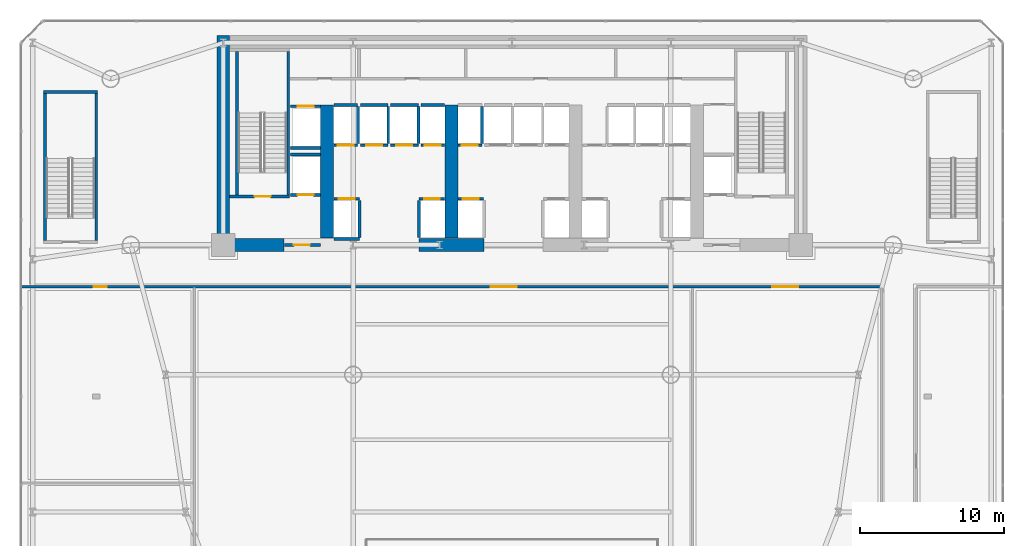
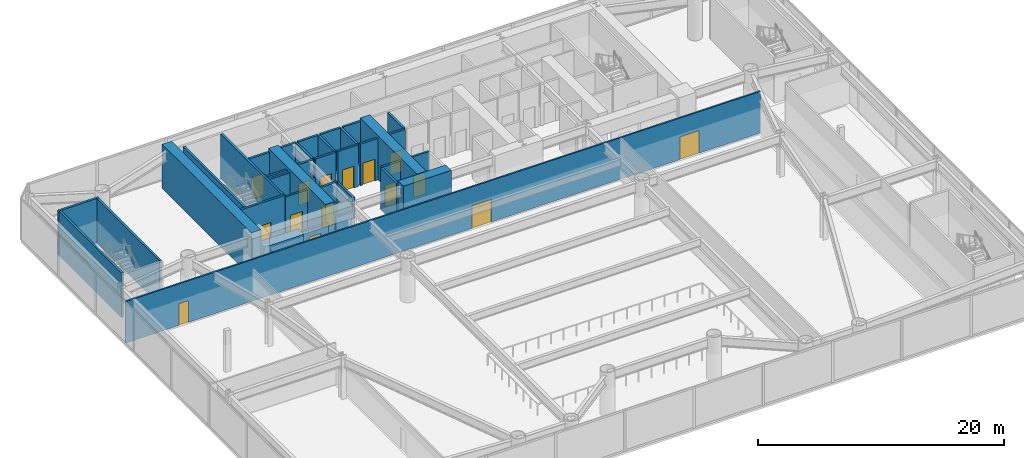
# One storey, part 14 of 24: 36 walls, 15 doors, 15 openings.
"""IFC4 building model written with IfcOpenShell, lengths in metres."""

from ifc_helpers import new_model, si_unit, direction, frame, frame_2d, origin, place, context, subcontext, project, spatial, rectangle, extrude, source, transform, mapped, material, layer, layer_set, type_object, element, fill, save


model = new_model("IFC4")

# Units and contexts
model_context = context("Model", 3, precision=1e-05, world=origin(), true_north=direction((0.0, 1.0)))
body_context = subcontext(model_context, "Body", "Model", "MODEL_VIEW")
ifc_project = project(units=[si_unit("LENGTHUNIT", "METRE"), si_unit("AREAUNIT", "SQUARE_METRE"), si_unit("VOLUMEUNIT", "CUBIC_METRE"), si_unit("PLANEANGLEUNIT", "RADIAN"), si_unit("MASSUNIT", "GRAM", prefix="KILO")], contexts=[model_context])

# Site, building, storey
site_placement = place(None, origin())
site = spatial("IfcSite", under=ifc_project, at=site_placement, CompositionType="ELEMENT")
building_placement = place(site_placement, origin())
building = spatial("IfcBuilding", under=site, at=building_placement, Name="Vaeldorn Concourse Tower", CompositionType="ELEMENT")
storey_placement = place(building_placement, frame((0.0, 0.0, 5.60009765625)))
storey = spatial("IfcBuildingStorey", under=building, at=storey_placement, Name="L01", CompositionType="ELEMENT", Elevation=5.60009765625)

# Walls
ifc_material_1 = material(Name="Concrete C60/75", Category="concrete")
ifc_layer_1 = layer(ifc_material_1, 0.89990234375)
ifc_layer_set_1 = layer_set([ifc_layer_1], Name="Concrete C60/75")
wall_type_1 = type_object("IfcWallType", Name="WL-CORE-900", PredefinedType="SHEAR", material=ifc_layer_set_1)
wall_1_placement = place(storey_placement, frame((14.0, 36.5, 0.0), z_axis=(0.0, 0.0, 1.0), x_axis=(0.0, 1.0, 0.0)))
element("IfcWall", 1, at=wall_1_placement, inside=storey, type_object=wall_type_1, Name="Rear Core Shear Wall L01 W1", PredefinedType="SHEAR", context=body_context, shape_type="SweptSolid", body=[
    extrude(rectangle(XDim=14.5, YDim=0.89990234375, at=frame_2d((7.25, 0.0))), origin(), (0.0, 0.0, 1.0), 4.39990234375),
])
wall_2_placement = place(storey_placement, frame((14.469970703125, 36.5, 0.0), z_axis=(0.0, 0.0, 1.0), x_axis=(1.0, 0.0, 0.0)))
element("IfcWall", 2, at=wall_2_placement, inside=storey, type_object=wall_type_1, Name="Rear Core Shear Wall L01 S1", PredefinedType="SHEAR", context=body_context, shape_type="SweptSolid", body=[
    extrude(rectangle(XDim=3.72998046875, YDim=0.89990234375, at=frame_2d((1.864990234375, 0.0))), origin(), (0.0, 0.0, 1.0), 2.919921875),
])
wall_3_placement = place(storey_placement, frame((27.550048828125, 36.5, 0.0), z_axis=(0.0, 0.0, 1.0), x_axis=(1.0, 0.0, 0.0)))
element("IfcWall", 3, at=wall_3_placement, inside=storey, type_object=wall_type_1, Name="Rear Core Shear Wall L01 S2", PredefinedType="SHEAR", context=body_context, shape_type="SweptSolid", body=[
    extrude(rectangle(XDim=4.5, YDim=0.89990234375, at=frame_2d((2.25, 0.0))), origin(), (0.0, 0.0, 1.0), 4.39990234375),
])
for number, where, z_axis, x_axis, name in (
    (4, (21.199951171875, 36.969970703125, 0.0), (0.0, 0.0, 1.0), (0.0, 1.0, 0.0), "Rear Core Shear Wall L01 M1"),
    (5, (29.800048828125, 36.969970703125, 0.0), (0.0, 0.0, 1.0), (0.0, 1.0, 0.0), "Rear Core Shear Wall L01 M2"),
):
    element("IfcWall", number, at=place(storey_placement, frame(where, z_axis=z_axis, x_axis=x_axis)), inside=storey, type_object=wall_type_1, Name=name, PredefinedType="SHEAR", context=body_context, shape_type="SweptSolid", body=[
        extrude(rectangle(XDim=9.22998046875, YDim=0.89990234375, at=frame_2d((4.614990234375, 0.0))), origin(), (0.0, 0.0, 1.0), 4.39990234375),
    ])

# Wall, openings, doors
ifc_material_2 = material(Name="Gypsum Board Partition", Category="gypsum")
ifc_layer_2 = layer(ifc_material_2, 0.14990234375)
ifc_layer_set_2 = layer_set([ifc_layer_2], Name="Gypsum Board Partition")
wall_type_2 = type_object("IfcWallType", Name="WL-PART-150", PredefinedType="PARTITIONING", material=ifc_layer_set_2)
wall_4_placement = place(storey_placement, frame((0.0400390625, 33.60009765625, 0.0), z_axis=(0.0, 0.0, 1.0), x_axis=(1.0, 0.0, 0.0)))
wall_4 = element("IfcWall", 6, at=wall_4_placement, inside=storey, type_object=wall_type_2, Name="Interior Wall PW-L01-COR", PredefinedType="PARTITIONING", context=body_context, shape_type="SweptSolid", body=[
    extrude(rectangle(XDim=59.56005859375, YDim=0.14990234375, at=frame_2d((29.780029296875, 0.0))), origin(), (0.0, 0.0, 1.0), 4.119873046875),
])
opening_1_placement = place(wall_4_placement, frame((5.0, 0.0, 0.0)))
opening_1 = element("IfcOpeningElement", 7, at=opening_1_placement, cuts=wall_4, Name="Opening D-03", PredefinedType="OPENING", context=body_context, shape_type="SweptSolid", body=[
    extrude(rectangle(XDim=0.89990234375, YDim=2.14990234375, at=frame_2d((0.449951171875, 1.074951171875))), frame((0.0, 0.0849609375, 0.0), z_axis=(0.0, -1.0, 0.0), x_axis=(1.0, 0.0, 0.0)), (0.0, 0.0, 1.0), 0.169921875),
])
opening_2_placement = place(wall_4_placement, frame((32.5, 0.0, 0.0)))
opening_2 = element("IfcOpeningElement", 8, at=opening_2_placement, cuts=wall_4, Name="Opening D-05", PredefinedType="OPENING", context=body_context, shape_type="SweptSolid", body=[
    extrude(rectangle(XDim=1.800048828125, YDim=2.25, at=frame_2d((0.89990234375, 1.125))), frame((0.0, 0.0849609375, 0.0), z_axis=(0.0, -1.0, 0.0), x_axis=(1.0, 0.0, 0.0)), (0.0, 0.0, 1.0), 0.169921875),
])
opening_3_placement = place(wall_4_placement, frame((52.0, 0.0, 0.0)))
opening_3 = element("IfcOpeningElement", 9, at=opening_3_placement, cuts=wall_4, Name="Opening D-05", PredefinedType="OPENING", context=body_context, shape_type="SweptSolid", body=[
    extrude(rectangle(XDim=1.800048828125, YDim=2.25, at=frame_2d((0.89990234375, 1.125))), frame((0.0, 0.0849609375, 0.0), z_axis=(0.0, -1.0, 0.0), x_axis=(1.0, 0.0, 0.0)), (0.0, 0.0, 1.0), 0.169921875),
])
ifc_material_3 = material(Name="Acoustic Bronze-Framed Glass Door", Category="glass")
door_type_1 = type_object("IfcDoorType", Name="DR-INT-900", OperationType="NOTDEFINED", PredefinedType="DOOR", material=ifc_material_3)
shared_shape_1 = source(origin(), body_context, "Body", "SweptSolid", [
    extrude(rectangle(XDim=0.89990234375, YDim=2.14990234375, at=frame_2d((0.449951171875, 1.074951171875))), frame((0.0, 0.02490234375, 0.0), z_axis=(0.0, -1.0, 0.0), x_axis=(1.0, 0.0, 0.0)), (0.0, 0.0, 1.0), 0.050048828125),
])
door_1_placement = place(opening_1_placement, origin())
door_1 = element("IfcDoor", 10, at=door_1_placement, inside=storey, type_object=door_type_1, Name="Interior Door DR-L01-MEET", OperationType="SINGLE_SWING_LEFT", OverallHeight=2.14990234375, OverallWidth=0.89990234375, PredefinedType="DOOR", context=body_context, shape_type="MappedRepresentation", body=[
    mapped(shared_shape_1, transform((0.0, 0.0, 0.0), scale=1.0)),
])
fill(opening_1, door_1)
door_type_2 = type_object("IfcDoorType", Name="DR-DBL-1800", OperationType="DOUBLE_DOOR_SINGLE_SWING", PredefinedType="DOOR", material=ifc_material_3)
shared_shape_2 = source(origin(), body_context, "Body", "SweptSolid", [
    extrude(rectangle(XDim=1.800048828125, YDim=2.25, at=frame_2d((0.89990234375, 1.125))), frame((0.0, 0.02490234375, 0.0), z_axis=(0.0, -1.0, 0.0), x_axis=(1.0, 0.0, 0.0)), (0.0, 0.0, 1.0), 0.050048828125),
])
door_2_placement = place(opening_2_placement, origin())
door_2 = element("IfcDoor", 11, at=door_2_placement, inside=storey, type_object=door_type_2, Name="Interior Door DR-L01-GAL", OperationType="DOUBLE_DOOR_SINGLE_SWING", OverallHeight=2.25, OverallWidth=1.800048828125, PredefinedType="DOOR", context=body_context, shape_type="MappedRepresentation", body=[
    mapped(shared_shape_2, transform((0.0, 0.0, 0.0), scale=1.0)),
])
fill(opening_2, door_2)
door_3_placement = place(opening_3_placement, origin())
door_3 = element("IfcDoor", 12, at=door_3_placement, inside=storey, type_object=door_type_2, Name="Interior Door DR-L01-REC", OperationType="DOUBLE_DOOR_SINGLE_SWING", OverallHeight=2.25, OverallWidth=1.800048828125, PredefinedType="DOOR", context=body_context, shape_type="MappedRepresentation", body=[
    mapped(shared_shape_2, transform((0.0, 0.0, 0.0), scale=1.0)),
])
fill(opening_3, door_3)

# Wall, opening, door
ifc_material_4 = material(Name="Concrete C50/60", Category="concrete")
ifc_layer_3 = layer(ifc_material_4, 0.199951171875)
ifc_layer_set_3 = layer_set([ifc_layer_3], Name="Concrete C50/60")
wall_type_3 = type_object("IfcWallType", Name="WL-SHAFT-200", PredefinedType="SOLIDWALL", material=ifc_layer_set_3)
wall_5_placement = place(storey_placement, frame((14.449951171875, 39.85009765625, 0.0), z_axis=(0.0, 0.0, 1.0), x_axis=(1.0, 0.0, 0.0)))
wall_5 = element("IfcWall", 13, at=wall_5_placement, inside=storey, type_object=wall_type_3, Name="Stair Shaft Wall CW-L01-ST-1-S", PredefinedType="SOLIDWALL", context=body_context, shape_type="SweptSolid", body=[
    extrude(rectangle(XDim=4.150146484375, YDim=0.199951171875, at=frame_2d((2.0751953125, 0.0))), origin(), (0.0, 0.0, 1.0), 4.39990234375),
])
opening_4_placement = place(wall_5_placement, frame((1.72509765625, 0.0, 0.0)))
opening_4 = element("IfcOpeningElement", 14, at=opening_4_placement, cuts=wall_5, Name="Opening D-01", PredefinedType="OPENING", context=body_context, shape_type="SweptSolid", body=[
    extrude(rectangle(XDim=1.10009765625, YDim=2.14990234375, at=frame_2d((0.550048828125, 1.074951171875))), frame((0.0, 0.10986328125, 0.0), z_axis=(0.0, -1.0, 0.0), x_axis=(1.0, 0.0, 0.0)), (0.0, 0.0, 1.0), 0.219970703125),
])
ifc_material_5 = material(Name="Fire-Rated Timber and Steel Leaf", Category="steel")
door_type_3 = type_object("IfcDoorType", Name="DR-FD60-1100", OperationType="NOTDEFINED", PredefinedType="DOOR", material=ifc_material_5)
shared_shape_3 = source(origin(), body_context, "Body", "SweptSolid", [
    extrude(rectangle(XDim=1.10009765625, YDim=2.14990234375, at=frame_2d((0.550048828125, 1.074951171875))), frame((0.0, 0.02490234375, 0.0), z_axis=(0.0, -1.0, 0.0), x_axis=(1.0, 0.0, 0.0)), (0.0, 0.0, 1.0), 0.050048828125),
])
door_4_placement = place(opening_4_placement, origin())
door_4 = element("IfcDoor", 15, at=door_4_placement, inside=storey, type_object=door_type_3, Name="Interior Door DR-L01-ST-1", OperationType="SINGLE_SWING_LEFT", OverallHeight=2.14990234375, OverallWidth=1.10009765625, PredefinedType="DOOR", context=body_context, shape_type="MappedRepresentation", body=[
    mapped(shared_shape_3, transform((0.0, 0.0, 0.0), scale=1.0)),
])
fill(opening_4, door_4)

# Walls
for number, where, z_axis, x_axis, name in (
    (16, (14.949951171875, 39.9599609375, 0.0), (0.0, 0.0, 1.0), (0.0, 1.0, 0.0), "Stair Shaft Wall CW-L01-ST-1-W"),
    (17, (18.5, 39.9599609375, 0.0), (0.0, 0.0, 1.0), (0.0, 1.0, 0.0), "Stair Shaft Wall CW-L01-ST-1-E"),
):
    element("IfcWall", number, at=place(storey_placement, frame(where, z_axis=z_axis, x_axis=x_axis)), inside=storey, type_object=wall_type_3, Name=name, PredefinedType="SOLIDWALL", context=body_context, shape_type="SweptSolid", body=[
        extrude(rectangle(XDim=9.929931640625, YDim=0.199951171875, at=frame_2d((4.96484375, 0.0))), origin(), (0.0, 0.0, 1.0), 4.39990234375),
    ])

# Wall, opening, door
wall_6_placement = place(storey_placement, frame((18.25, 36.5, 0.0), z_axis=(0.0, 0.0, 1.0), x_axis=(1.0, 0.0, 0.0)))
wall_6 = element("IfcWall", 18, at=wall_6_placement, inside=storey, type_object=wall_type_3, Name="Interior Wall CW-L01-FF1S", PredefinedType="SOLIDWALL", context=body_context, shape_type="SweptSolid", body=[
    extrude(rectangle(XDim=2.469970703125, YDim=0.199951171875, at=frame_2d((1.23486328125, 0.0))), origin(), (0.0, 0.0, 1.0), 2.909912109375),
])
opening_5_placement = place(wall_6_placement, frame((0.64990234375, 0.0, 0.0)))
opening_5 = element("IfcOpeningElement", 19, at=opening_5_placement, cuts=wall_6, Name="Opening D-01", PredefinedType="OPENING", context=body_context, shape_type="SweptSolid", body=[
    extrude(rectangle(XDim=1.10009765625, YDim=2.14990234375, at=frame_2d((0.550048828125, 1.074951171875))), frame((0.0, 0.10986328125, 0.0), z_axis=(0.0, -1.0, 0.0), x_axis=(1.0, 0.0, 0.0)), (0.0, 0.0, 1.0), 0.219970703125),
])
door_5_placement = place(opening_5_placement, origin())
door_5 = element("IfcDoor", 20, at=door_5_placement, inside=storey, type_object=door_type_3, Name="Interior Door DR-L01-FF1E", OperationType="SINGLE_SWING_RIGHT", OverallHeight=2.14990234375, OverallWidth=1.10009765625, PredefinedType="DOOR", context=body_context, shape_type="MappedRepresentation", body=[
    mapped(shared_shape_3, transform((0.0, 0.0, 0.0), scale=1.0)),
])
fill(opening_5, door_5)

wall_7_placement = place(storey_placement, frame((21.659912109375, 39.699951171875, 0.0), z_axis=(0.0, 0.0, 1.0), x_axis=(1.0, 0.0, 0.0)))
wall_7 = element("IfcWall", 21, at=wall_7_placement, inside=storey, type_object=wall_type_3, Name="Interior Wall CW-L01-LF-LF-01", PredefinedType="SOLIDWALL", context=body_context, shape_type="SweptSolid", body=[
    extrude(rectangle(XDim=1.77001953125, YDim=0.199951171875, at=frame_2d((0.885009765625, 0.0))), origin(), (0.0, 0.0, 1.0), 4.119873046875),
])
opening_6_placement = place(wall_7_placement, frame((0.3349609375, 0.0, 0.0)))
opening_6 = element("IfcOpeningElement", 22, at=opening_6_placement, cuts=wall_7, Name="Opening LD-1", PredefinedType="OPENING", context=body_context, shape_type="SweptSolid", body=[
    extrude(rectangle(XDim=1.10009765625, YDim=2.14990234375, at=frame_2d((0.550048828125, 1.074951171875))), frame((0.0, 0.10986328125, 0.0), z_axis=(0.0, -1.0, 0.0), x_axis=(1.0, 0.0, 0.0)), (0.0, 0.0, 1.0), 0.219970703125),
])
ifc_material_6 = material(Name="Anodised Bronze Aluminium", Category="aluminium")
door_type_4 = type_object("IfcDoorType", Name="DR-LIFT-SLIDE-1100", OperationType="DOUBLE_DOOR_SLIDING", PredefinedType="DOOR", material=ifc_material_6)
door_6_placement = place(opening_6_placement, origin())
door_6 = element("IfcDoor", 23, at=door_6_placement, inside=storey, type_object=door_type_4, Name="Lift Landing Door LD-L01-LF-01", OperationType="DOUBLE_DOOR_SLIDING", OverallHeight=2.14990234375, OverallWidth=1.10009765625, PredefinedType="DOOR", context=body_context, shape_type="MappedRepresentation", body=[
    mapped(shared_shape_3, transform((0.0, 0.0, 0.0), scale=1.0)),
])
fill(opening_6, door_6)

# Walls
wall_8_placement = place(storey_placement, frame((21.659912109375, 36.89990234375, 0.0), z_axis=(0.0, 0.0, 1.0), x_axis=(1.0, 0.0, 0.0)))
element("IfcWall", 24, at=wall_8_placement, inside=storey, type_object=wall_type_3, Name="Interior Wall CW-L01-LFB-LF-01", PredefinedType="SOLIDWALL", context=body_context, shape_type="SweptSolid", body=[
    extrude(rectangle(XDim=1.77001953125, YDim=0.199951171875, at=frame_2d((0.885009765625, 0.0))), origin(), (0.0, 0.0, 1.0), 2.909912109375),
])
wall_9_placement = place(storey_placement, frame((23.449951171875, 37.02001953125, 0.0), z_axis=(0.0, 0.0, 1.0), x_axis=(0.0, 1.0, 0.0)))
element("IfcWall", 25, at=wall_9_placement, inside=storey, type_object=wall_type_3, Name="Interior Wall CW-L01-LFE-LF-01", PredefinedType="SOLIDWALL", context=body_context, shape_type="SweptSolid", body=[
    extrude(rectangle(XDim=2.56005859375, YDim=0.199951171875, at=frame_2d((1.280029296875, 0.0))), origin(), (0.0, 0.0, 1.0), 4.119873046875),
])

# Wall, opening, door
wall_10_placement = place(storey_placement, frame((27.570068359375, 39.699951171875, 0.0), z_axis=(0.0, 0.0, 1.0), x_axis=(1.0, 0.0, 0.0)))
wall_10 = element("IfcWall", 26, at=wall_10_placement, inside=storey, type_object=wall_type_3, Name="Interior Wall CW-L01-LF-LF-02", PredefinedType="SOLIDWALL", context=body_context, shape_type="SweptSolid", body=[
    extrude(rectangle(XDim=1.77001953125, YDim=0.199951171875, at=frame_2d((0.885009765625, 0.0))), origin(), (0.0, 0.0, 1.0), 4.119873046875),
])
opening_7_placement = place(wall_10_placement, frame((0.3349609375, 0.0, 0.0)))
opening_7 = element("IfcOpeningElement", 27, at=opening_7_placement, cuts=wall_10, Name="Opening LD-1", PredefinedType="OPENING", context=body_context, shape_type="SweptSolid", body=[
    extrude(rectangle(XDim=1.10009765625, YDim=2.14990234375, at=frame_2d((0.550048828125, 1.074951171875))), frame((0.0, 0.10986328125, 0.0), z_axis=(0.0, -1.0, 0.0), x_axis=(1.0, 0.0, 0.0)), (0.0, 0.0, 1.0), 0.219970703125),
])
door_7_placement = place(opening_7_placement, origin())
door_7 = element("IfcDoor", 28, at=door_7_placement, inside=storey, type_object=door_type_4, Name="Lift Landing Door LD-L01-LF-02", OperationType="DOUBLE_DOOR_SLIDING", OverallHeight=2.14990234375, OverallWidth=1.10009765625, PredefinedType="DOOR", context=body_context, shape_type="MappedRepresentation", body=[
    mapped(shared_shape_3, transform((0.0, 0.0, 0.0), scale=1.0)),
])
fill(opening_7, door_7)

# Wall
wall_11_placement = place(storey_placement, frame((27.550048828125, 37.02001953125, 0.0), z_axis=(0.0, 0.0, 1.0), x_axis=(0.0, 1.0, 0.0)))
element("IfcWall", 29, at=wall_11_placement, inside=storey, type_object=wall_type_3, Name="Interior Wall CW-L01-LFW-LF-02", PredefinedType="SOLIDWALL", context=body_context, shape_type="SweptSolid", body=[
    extrude(rectangle(XDim=2.56005859375, YDim=0.199951171875, at=frame_2d((1.280029296875, 0.0))), origin(), (0.0, 0.0, 1.0), 4.119873046875),
])

# Wall, opening, door
wall_12_placement = place(storey_placement, frame((21.659912109375, 43.39990234375, 0.0), z_axis=(0.0, 0.0, 1.0), x_axis=(1.0, 0.0, 0.0)))
wall_12 = element("IfcWall", 30, at=wall_12_placement, inside=storey, type_object=wall_type_3, Name="Interior Wall CW-L01-LF-LF-03", PredefinedType="SOLIDWALL", context=body_context, shape_type="SweptSolid", body=[
    extrude(rectangle(XDim=1.650146484375, YDim=0.199951171875, at=frame_2d((0.8251953125, 0.0))), origin(), (0.0, 0.0, 1.0), 4.119873046875),
])
opening_8_placement = place(wall_12_placement, frame((0.27490234375, 0.0, 0.0)))
opening_8 = element("IfcOpeningElement", 31, at=opening_8_placement, cuts=wall_12, Name="Opening LD-1", PredefinedType="OPENING", context=body_context, shape_type="SweptSolid", body=[
    extrude(rectangle(XDim=1.10009765625, YDim=2.14990234375, at=frame_2d((0.550048828125, 1.074951171875))), frame((0.0, 0.10986328125, 0.0), z_axis=(0.0, -1.0, 0.0), x_axis=(1.0, 0.0, 0.0)), (0.0, 0.0, 1.0), 0.219970703125),
])
door_8_placement = place(opening_8_placement, origin())
door_8 = element("IfcDoor", 32, at=door_8_placement, inside=storey, type_object=door_type_4, Name="Lift Landing Door LD-L01-LF-03", OperationType="DOUBLE_DOOR_SLIDING", OverallHeight=2.14990234375, OverallWidth=1.10009765625, PredefinedType="DOOR", context=body_context, shape_type="MappedRepresentation", body=[
    mapped(shared_shape_3, transform((0.0, 0.0, 0.0), scale=1.0)),
])
fill(opening_8, door_8)

# Walls
wall_13_placement = place(storey_placement, frame((21.659912109375, 46.199951171875, 0.0), z_axis=(0.0, 0.0, 1.0), x_axis=(1.0, 0.0, 0.0)))
element("IfcWall", 33, at=wall_13_placement, inside=storey, type_object=wall_type_3, Name="Interior Wall CW-L01-LFB-LF-03", PredefinedType="SOLIDWALL", context=body_context, shape_type="SweptSolid", body=[
    extrude(rectangle(XDim=1.650146484375, YDim=0.199951171875, at=frame_2d((0.8251953125, 0.0))), origin(), (0.0, 0.0, 1.0), 4.119873046875),
])
wall_14_placement = place(storey_placement, frame((23.330078125, 43.52001953125, 0.0), z_axis=(0.0, 0.0, 1.0), x_axis=(0.0, 1.0, 0.0)))
element("IfcWall", 34, at=wall_14_placement, inside=storey, type_object=wall_type_3, Name="Interior Wall CW-L01-LFE-LF-03", PredefinedType="SOLIDWALL", context=body_context, shape_type="SweptSolid", body=[
    extrude(rectangle(XDim=2.56005859375, YDim=0.199951171875, at=frame_2d((1.280029296875, 0.0))), origin(), (0.0, 0.0, 1.0), 4.119873046875),
])

# Wall, opening, door
wall_15_placement = place(storey_placement, frame((23.489990234375, 43.39990234375, 0.0), z_axis=(0.0, 0.0, 1.0), x_axis=(1.0, 0.0, 0.0)))
wall_15 = element("IfcWall", 35, at=wall_15_placement, inside=storey, type_object=wall_type_3, Name="Interior Wall CW-L01-LF-LF-04", PredefinedType="SOLIDWALL", context=body_context, shape_type="SweptSolid", body=[
    extrude(rectangle(XDim=1.919921875, YDim=0.199951171875, at=frame_2d((0.9599609375, 0.0))), origin(), (0.0, 0.0, 1.0), 4.119873046875),
])
opening_9_placement = place(wall_15_placement, frame((0.409912109375, 0.0, 0.0)))
opening_9 = element("IfcOpeningElement", 36, at=opening_9_placement, cuts=wall_15, Name="Opening LD-1", PredefinedType="OPENING", context=body_context, shape_type="SweptSolid", body=[
    extrude(rectangle(XDim=1.10009765625, YDim=2.14990234375, at=frame_2d((0.550048828125, 1.074951171875))), frame((0.0, 0.10986328125, 0.0), z_axis=(0.0, -1.0, 0.0), x_axis=(1.0, 0.0, 0.0)), (0.0, 0.0, 1.0), 0.219970703125),
])
door_9_placement = place(opening_9_placement, origin())
door_9 = element("IfcDoor", 37, at=door_9_placement, inside=storey, type_object=door_type_4, Name="Lift Landing Door LD-L01-LF-04", OperationType="DOUBLE_DOOR_SLIDING", OverallHeight=2.14990234375, OverallWidth=1.10009765625, PredefinedType="DOOR", context=body_context, shape_type="MappedRepresentation", body=[
    mapped(shared_shape_3, transform((0.0, 0.0, 0.0), scale=1.0)),
])
fill(opening_9, door_9)

# Walls
wall_16_placement = place(storey_placement, frame((23.489990234375, 46.199951171875, 0.0), z_axis=(0.0, 0.0, 1.0), x_axis=(1.0, 0.0, 0.0)))
element("IfcWall", 38, at=wall_16_placement, inside=storey, type_object=wall_type_3, Name="Interior Wall CW-L01-LFB-LF-04", PredefinedType="SOLIDWALL", context=body_context, shape_type="SweptSolid", body=[
    extrude(rectangle(XDim=1.919921875, YDim=0.199951171875, at=frame_2d((0.9599609375, 0.0))), origin(), (0.0, 0.0, 1.0), 4.119873046875),
])
wall_17_placement = place(storey_placement, frame((25.429931640625, 43.52001953125, 0.0), z_axis=(0.0, 0.0, 1.0), x_axis=(0.0, 1.0, 0.0)))
element("IfcWall", 39, at=wall_17_placement, inside=storey, type_object=wall_type_3, Name="Interior Wall CW-L01-LFE-LF-04", PredefinedType="SOLIDWALL", context=body_context, shape_type="SweptSolid", body=[
    extrude(rectangle(XDim=2.56005859375, YDim=0.199951171875, at=frame_2d((1.280029296875, 0.0))), origin(), (0.0, 0.0, 1.0), 4.119873046875),
])

# Wall, opening, door
wall_18_placement = place(storey_placement, frame((25.590087890625, 43.39990234375, 0.0), z_axis=(0.0, 0.0, 1.0), x_axis=(1.0, 0.0, 0.0)))
wall_18 = element("IfcWall", 40, at=wall_18_placement, inside=storey, type_object=wall_type_3, Name="Interior Wall CW-L01-LF-LF-05", PredefinedType="SOLIDWALL", context=body_context, shape_type="SweptSolid", body=[
    extrude(rectangle(XDim=1.919921875, YDim=0.199951171875, at=frame_2d((0.9599609375, 0.0))), origin(), (0.0, 0.0, 1.0), 4.119873046875),
])
opening_10_placement = place(wall_18_placement, frame((0.409912109375, 0.0, 0.0)))
opening_10 = element("IfcOpeningElement", 41, at=opening_10_placement, cuts=wall_18, Name="Opening LD-1", PredefinedType="OPENING", context=body_context, shape_type="SweptSolid", body=[
    extrude(rectangle(XDim=1.10009765625, YDim=2.14990234375, at=frame_2d((0.550048828125, 1.074951171875))), frame((0.0, 0.10986328125, 0.0), z_axis=(0.0, -1.0, 0.0), x_axis=(1.0, 0.0, 0.0)), (0.0, 0.0, 1.0), 0.219970703125),
])
door_10_placement = place(opening_10_placement, origin())
door_10 = element("IfcDoor", 42, at=door_10_placement, inside=storey, type_object=door_type_4, Name="Lift Landing Door LD-L01-LF-05", OperationType="DOUBLE_DOOR_SLIDING", OverallHeight=2.14990234375, OverallWidth=1.10009765625, PredefinedType="DOOR", context=body_context, shape_type="MappedRepresentation", body=[
    mapped(shared_shape_3, transform((0.0, 0.0, 0.0), scale=1.0)),
])
fill(opening_10, door_10)

# Walls
wall_19_placement = place(storey_placement, frame((25.590087890625, 46.199951171875, 0.0), z_axis=(0.0, 0.0, 1.0), x_axis=(1.0, 0.0, 0.0)))
element("IfcWall", 43, at=wall_19_placement, inside=storey, type_object=wall_type_3, Name="Interior Wall CW-L01-LFB-LF-05", PredefinedType="SOLIDWALL", context=body_context, shape_type="SweptSolid", body=[
    extrude(rectangle(XDim=1.919921875, YDim=0.199951171875, at=frame_2d((0.9599609375, 0.0))), origin(), (0.0, 0.0, 1.0), 4.119873046875),
])
wall_20_placement = place(storey_placement, frame((27.530029296875, 43.52001953125, 0.0), z_axis=(0.0, 0.0, 1.0), x_axis=(0.0, 1.0, 0.0)))
element("IfcWall", 44, at=wall_20_placement, inside=storey, type_object=wall_type_3, Name="Interior Wall CW-L01-LFE-LF-05", PredefinedType="SOLIDWALL", context=body_context, shape_type="SweptSolid", body=[
    extrude(rectangle(XDim=2.56005859375, YDim=0.199951171875, at=frame_2d((1.280029296875, 0.0))), origin(), (0.0, 0.0, 1.0), 4.119873046875),
])

# Wall, opening, door
wall_21_placement = place(storey_placement, frame((27.68994140625, 43.39990234375, 0.0), z_axis=(0.0, 0.0, 1.0), x_axis=(1.0, 0.0, 0.0)))
wall_21 = element("IfcWall", 45, at=wall_21_placement, inside=storey, type_object=wall_type_3, Name="Interior Wall CW-L01-LF-LF-06", PredefinedType="SOLIDWALL", context=body_context, shape_type="SweptSolid", body=[
    extrude(rectangle(XDim=1.650146484375, YDim=0.199951171875, at=frame_2d((0.8251953125, 0.0))), origin(), (0.0, 0.0, 1.0), 4.119873046875),
])
opening_11_placement = place(wall_21_placement, frame((0.27490234375, 0.0, 0.0)))
opening_11 = element("IfcOpeningElement", 46, at=opening_11_placement, cuts=wall_21, Name="Opening LD-1", PredefinedType="OPENING", context=body_context, shape_type="SweptSolid", body=[
    extrude(rectangle(XDim=1.10009765625, YDim=2.14990234375, at=frame_2d((0.550048828125, 1.074951171875))), frame((0.0, 0.10986328125, 0.0), z_axis=(0.0, -1.0, 0.0), x_axis=(1.0, 0.0, 0.0)), (0.0, 0.0, 1.0), 0.219970703125),
])
door_11_placement = place(opening_11_placement, origin())
door_11 = element("IfcDoor", 47, at=door_11_placement, inside=storey, type_object=door_type_4, Name="Lift Landing Door LD-L01-LF-06", OperationType="DOUBLE_DOOR_SLIDING", OverallHeight=2.14990234375, OverallWidth=1.10009765625, PredefinedType="DOOR", context=body_context, shape_type="MappedRepresentation", body=[
    mapped(shared_shape_3, transform((0.0, 0.0, 0.0), scale=1.0)),
])
fill(opening_11, door_11)

# Wall
wall_22_placement = place(storey_placement, frame((27.68994140625, 46.199951171875, 0.0), z_axis=(0.0, 0.0, 1.0), x_axis=(1.0, 0.0, 0.0)))
element("IfcWall", 48, at=wall_22_placement, inside=storey, type_object=wall_type_3, Name="Interior Wall CW-L01-LFB-LF-06", PredefinedType="SOLIDWALL", context=body_context, shape_type="SweptSolid", body=[
    extrude(rectangle(XDim=1.650146484375, YDim=0.199951171875, at=frame_2d((0.8251953125, 0.0))), origin(), (0.0, 0.0, 1.0), 4.119873046875),
])

# Wall, opening, door
wall_23_placement = place(storey_placement, frame((30.260009765625, 39.699951171875, 0.0), z_axis=(0.0, 0.0, 1.0), x_axis=(1.0, 0.0, 0.0)))
wall_23 = element("IfcWall", 49, at=wall_23_placement, inside=storey, type_object=wall_type_3, Name="Interior Wall CW-L01-LF-LF-07", PredefinedType="SOLIDWALL", context=body_context, shape_type="SweptSolid", body=[
    extrude(rectangle(XDim=1.77001953125, YDim=0.199951171875, at=frame_2d((0.885009765625, 0.0))), origin(), (0.0, 0.0, 1.0), 4.119873046875),
])
opening_12_placement = place(wall_23_placement, frame((0.3349609375, 0.0, 0.0)))
opening_12 = element("IfcOpeningElement", 50, at=opening_12_placement, cuts=wall_23, Name="Opening LD-1", PredefinedType="OPENING", context=body_context, shape_type="SweptSolid", body=[
    extrude(rectangle(XDim=1.10009765625, YDim=2.14990234375, at=frame_2d((0.550048828125, 1.074951171875))), frame((0.0, 0.10986328125, 0.0), z_axis=(0.0, -1.0, 0.0), x_axis=(1.0, 0.0, 0.0)), (0.0, 0.0, 1.0), 0.219970703125),
])
door_12_placement = place(opening_12_placement, origin())
door_12 = element("IfcDoor", 51, at=door_12_placement, inside=storey, type_object=door_type_4, Name="Lift Landing Door LD-L01-LF-07", OperationType="DOUBLE_DOOR_SLIDING", OverallHeight=2.14990234375, OverallWidth=1.10009765625, PredefinedType="DOOR", context=body_context, shape_type="MappedRepresentation", body=[
    mapped(shared_shape_3, transform((0.0, 0.0, 0.0), scale=1.0)),
])
fill(opening_12, door_12)

wall_24_placement = place(storey_placement, frame((30.260009765625, 43.39990234375, 0.0), z_axis=(0.0, 0.0, 1.0), x_axis=(1.0, 0.0, 0.0)))
wall_24 = element("IfcWall", 52, at=wall_24_placement, inside=storey, type_object=wall_type_3, Name="Interior Wall CW-L01-LF-LF-09", PredefinedType="SOLIDWALL", context=body_context, shape_type="SweptSolid", body=[
    extrude(rectangle(XDim=1.64990234375, YDim=0.199951171875, at=frame_2d((0.824951171875, 0.0))), origin(), (0.0, 0.0, 1.0), 4.119873046875),
])
opening_13_placement = place(wall_24_placement, frame((0.27490234375, 0.0, 0.0)))
opening_13 = element("IfcOpeningElement", 53, at=opening_13_placement, cuts=wall_24, Name="Opening LD-1", PredefinedType="OPENING", context=body_context, shape_type="SweptSolid", body=[
    extrude(rectangle(XDim=1.10009765625, YDim=2.14990234375, at=frame_2d((0.550048828125, 1.074951171875))), frame((0.0, 0.10986328125, 0.0), z_axis=(0.0, -1.0, 0.0), x_axis=(1.0, 0.0, 0.0)), (0.0, 0.0, 1.0), 0.219970703125),
])
door_13_placement = place(opening_13_placement, origin())
door_13 = element("IfcDoor", 54, at=door_13_placement, inside=storey, type_object=door_type_4, Name="Lift Landing Door LD-L01-LF-09", OperationType="DOUBLE_DOOR_SLIDING", OverallHeight=2.14990234375, OverallWidth=1.10009765625, PredefinedType="DOOR", context=body_context, shape_type="MappedRepresentation", body=[
    mapped(shared_shape_3, transform((0.0, 0.0, 0.0), scale=1.0)),
])
fill(opening_13, door_13)

# Wall
wall_25_placement = place(storey_placement, frame((31.929931640625, 43.52001953125, 0.0), z_axis=(0.0, 0.0, 1.0), x_axis=(0.0, 1.0, 0.0)))
element("IfcWall", 55, at=wall_25_placement, inside=storey, type_object=wall_type_3, Name="Interior Wall CW-L01-LFE-LF-09", PredefinedType="SOLIDWALL", context=body_context, shape_type="SweptSolid", body=[
    extrude(rectangle(XDim=2.56005859375, YDim=0.199951171875, at=frame_2d((1.280029296875, 0.0))), origin(), (0.0, 0.0, 1.0), 4.119873046875),
])

# Wall, opening, door
wall_26_placement = place(storey_placement, frame((18.669921875, 46.10009765625, 0.0), z_axis=(0.0, 0.0, 1.0), x_axis=(1.0, 0.0, 0.0)))
wall_26 = element("IfcWall", 56, at=wall_26_placement, inside=storey, type_object=wall_type_3, Name="Interior Wall CW-L01-LF-LF-SV1", PredefinedType="SOLIDWALL", context=body_context, shape_type="SweptSolid", body=[
    extrude(rectangle(XDim=2.070068359375, YDim=0.199951171875, at=frame_2d((1.03515625, 0.0))), origin(), (0.0, 0.0, 1.0), 4.119873046875),
])
opening_14_placement = place(wall_26_placement, frame((0.485107421875, 0.0, 0.0)))
opening_14 = element("IfcOpeningElement", 57, at=opening_14_placement, cuts=wall_26, Name="Opening LD-1", PredefinedType="OPENING", context=body_context, shape_type="SweptSolid", body=[
    extrude(rectangle(XDim=1.10009765625, YDim=2.14990234375, at=frame_2d((0.550048828125, 1.074951171875))), frame((0.0, 0.10986328125, 0.0), z_axis=(0.0, -1.0, 0.0), x_axis=(1.0, 0.0, 0.0)), (0.0, 0.0, 1.0), 0.219970703125),
])
door_14_placement = place(opening_14_placement, origin())
door_14 = element("IfcDoor", 58, at=door_14_placement, inside=storey, type_object=door_type_4, Name="Lift Landing Door LD-L01-LF-SV1", OperationType="DOUBLE_DOOR_SLIDING", OverallHeight=2.14990234375, OverallWidth=1.10009765625, PredefinedType="DOOR", context=body_context, shape_type="MappedRepresentation", body=[
    mapped(shared_shape_3, transform((0.0, 0.0, 0.0), scale=1.0)),
])
fill(opening_14, door_14)

# Wall
wall_27_placement = place(storey_placement, frame((18.669921875, 43.199951171875, 0.0), z_axis=(0.0, 0.0, 1.0), x_axis=(1.0, 0.0, 0.0)))
element("IfcWall", 59, at=wall_27_placement, inside=storey, type_object=wall_type_3, Name="Interior Wall CW-L01-LFB-LF-SV1", PredefinedType="SOLIDWALL", context=body_context, shape_type="SweptSolid", body=[
    extrude(rectangle(XDim=2.070068359375, YDim=0.199951171875, at=frame_2d((1.03515625, 0.0))), origin(), (0.0, 0.0, 1.0), 4.119873046875),
])

# Wall, opening, door
wall_28_placement = place(storey_placement, frame((18.669921875, 39.949951171875, 0.0), z_axis=(0.0, 0.0, 1.0), x_axis=(1.0, 0.0, 0.0)))
wall_28 = element("IfcWall", 60, at=wall_28_placement, inside=storey, type_object=wall_type_3, Name="Interior Wall CW-L01-LF-LF-FF1", PredefinedType="SOLIDWALL", context=body_context, shape_type="SweptSolid", body=[
    extrude(rectangle(XDim=2.070068359375, YDim=0.199951171875, at=frame_2d((1.03515625, 0.0))), origin(), (0.0, 0.0, 1.0), 4.119873046875),
])
opening_15_placement = place(wall_28_placement, frame((0.485107421875, 0.0, 0.0)))
opening_15 = element("IfcOpeningElement", 61, at=opening_15_placement, cuts=wall_28, Name="Opening LD-1", PredefinedType="OPENING", context=body_context, shape_type="SweptSolid", body=[
    extrude(rectangle(XDim=1.10009765625, YDim=2.14990234375, at=frame_2d((0.550048828125, 1.074951171875))), frame((0.0, 0.10986328125, 0.0), z_axis=(0.0, -1.0, 0.0), x_axis=(1.0, 0.0, 0.0)), (0.0, 0.0, 1.0), 0.219970703125),
])
door_15_placement = place(opening_15_placement, origin())
door_15 = element("IfcDoor", 62, at=door_15_placement, inside=storey, type_object=door_type_4, Name="Lift Landing Door LD-L01-LF-FF1", OperationType="DOUBLE_DOOR_SLIDING", OverallHeight=2.14990234375, OverallWidth=1.10009765625, PredefinedType="DOOR", context=body_context, shape_type="MappedRepresentation", body=[
    mapped(shared_shape_3, transform((0.0, 0.0, 0.0), scale=1.0)),
])
fill(opening_15, door_15)

# Walls
wall_29_placement = place(storey_placement, frame((18.669921875, 42.75, 0.0), z_axis=(0.0, 0.0, 1.0), x_axis=(1.0, 0.0, 0.0)))
element("IfcWall", 63, at=wall_29_placement, inside=storey, type_object=wall_type_3, Name="Interior Wall CW-L01-LFB-LF-FF1", PredefinedType="SOLIDWALL", context=body_context, shape_type="SweptSolid", body=[
    extrude(rectangle(XDim=2.070068359375, YDim=0.199951171875, at=frame_2d((1.03515625, 0.0))), origin(), (0.0, 0.0, 1.0), 4.119873046875),
])
wall_30_placement = place(storey_placement, frame((1.550048828125, 47.10009765625, 0.0), z_axis=(0.0, 0.0, 1.0), x_axis=(1.0, 0.0, 0.0)))
element("IfcWall", 64, at=wall_30_placement, inside=storey, type_object=wall_type_3, Name="Stair Shaft Wall CW-L01-ST-3-N", PredefinedType="SOLIDWALL", context=body_context, shape_type="SweptSolid", body=[
    extrude(rectangle(XDim=3.75, YDim=0.199951171875, at=frame_2d((1.875, 0.0))), origin(), (0.0, 0.0, 1.0), 4.39990234375),
])
for number, where, z_axis, x_axis, name in (
    (65, (1.64990234375, 36.81005859375, 0.0), (0.0, 0.0, 1.0), (0.0, 1.0, 0.0), "Stair Shaft Wall CW-L01-ST-3-W"),
    (66, (5.199951171875, 36.81005859375, 0.0), (0.0, 0.0, 1.0), (0.0, 1.0, 0.0), "Stair Shaft Wall CW-L01-ST-3-E"),
):
    element("IfcWall", number, at=place(storey_placement, frame(where, z_axis=z_axis, x_axis=x_axis)), inside=storey, type_object=wall_type_3, Name=name, PredefinedType="SOLIDWALL", context=body_context, shape_type="SweptSolid", body=[
        extrude(rectangle(XDim=10.179931640625, YDim=0.199951171875, at=frame_2d((5.08984375, 0.0))), origin(), (0.0, 0.0, 1.0), 4.39990234375),
    ])

save(model, "model.ifc")
